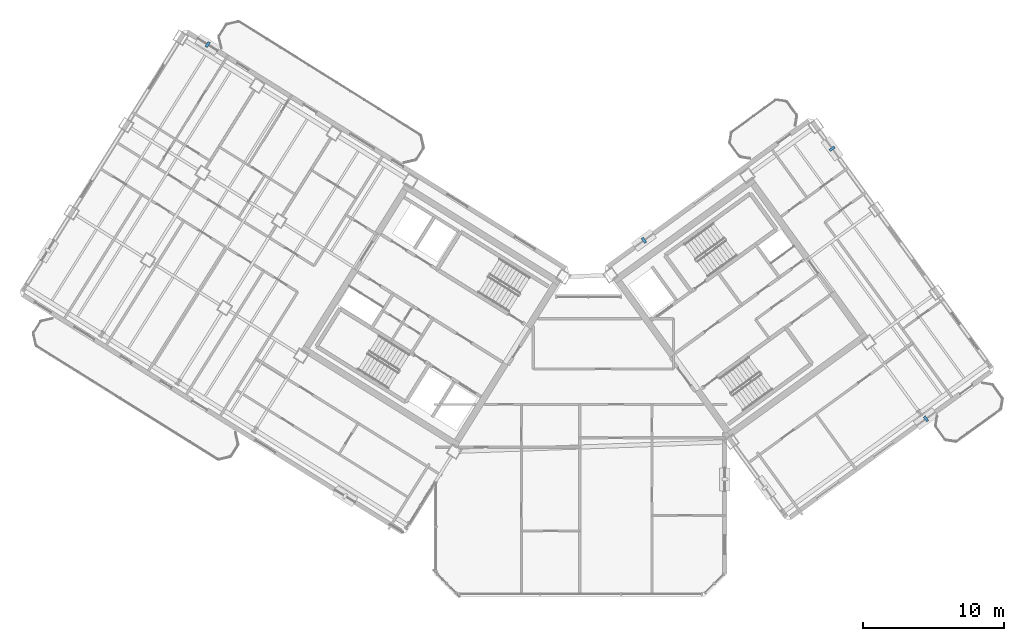
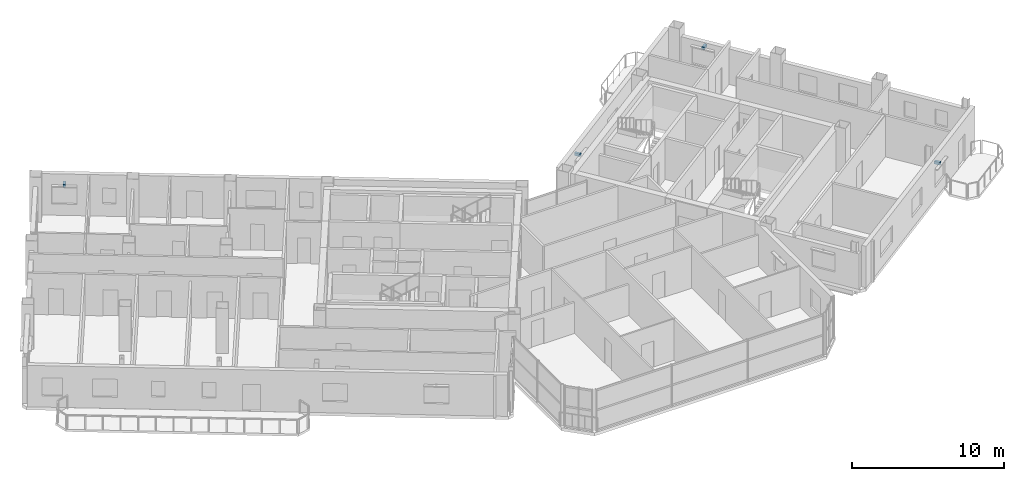
# One storey, part 22 of 27: 4 discrete accessories.
"""IFC4 building model written with IfcOpenShell, lengths in metres."""

from ifc_helpers import new_model, si_unit, direction, frame, origin, origin_2d, place, context, subcontext, project, spatial, rectangle, extrude, source, transform, mapped, material, type_object, element, save


model = new_model("IFC4")

# Units and contexts
model_context = context("Model", 3, precision=1e-05, world=origin(), true_north=direction((0.0, 1.0)))
body_context = subcontext(model_context, "Body", "Model", "MODEL_VIEW")
ifc_project = project(units=[si_unit("LENGTHUNIT", "METRE"), si_unit("AREAUNIT", "SQUARE_METRE"), si_unit("VOLUMEUNIT", "CUBIC_METRE"), si_unit("PLANEANGLEUNIT", "RADIAN"), si_unit("MASSUNIT", "GRAM", prefix="KILO")], contexts=[model_context])

# Site, building, storey
site_placement = place(None, origin())
site = spatial("IfcSite", under=ifc_project, at=site_placement, CompositionType="ELEMENT")
building_placement = place(site_placement, origin())
building = spatial("IfcBuilding", under=site, at=building_placement, Name="Tlacorven Tower", CompositionType="ELEMENT")
storey_placement = place(building_placement, frame((0.0, 0.0, 242.10009765625)))
storey = spatial("IfcBuildingStorey", under=building, at=storey_placement, Name="L61", CompositionType="ELEMENT", Elevation=242.10009765625)

# Discrete accessories
ifc_material = material(Name="Steel S355J2", Category="steel")
discrete_accessory_type = type_object("IfcDiscreteAccessoryType", Name="ACC-BRK-01", PredefinedType="BRACKET", material=ifc_material)
shared_shape = source(origin(), body_context, "Body", "SweptSolid", [
    extrude(rectangle(XDim=0.179931640625, YDim=0.419921875, at=origin_2d()), origin(), (0.0, 0.0, 1.0), 0.219970703125),
])
for number, where, z_axis, x_axis, name in (
    (1, (15.55126953125, 40.9423828125, 2.27978515625), (0.0, 0.0, 1.0), (0.84804812172, -0.529919223323, 0.0), "L61 Sunshade Bracket L61-03.1"),
    (2, (46.50146484375, 27.05419921875, 2.27978515625), (0.0, 0.0, 1.0), (0.809017097486, 0.587785110372, 0.0), "L61 Sunshade Bracket L61-04.1"),
    (3, (59.852783203125, 33.559326171875, 2.27978515625), (0.0, 0.0, 1.0), (0.587785363163, -0.809016913823, 0.0), "L61 Sunshade Bracket L61-05.1"),
    (4, (66.505615234375, 14.39453125, 2.27978515625), (0.0, 0.0, 1.0), (-0.809017097486, -0.587785110372, 0.0), "L61 Sunshade Bracket L61-06.1"),
):
    element("IfcDiscreteAccessory", number, at=place(storey_placement, frame(where, z_axis=z_axis, x_axis=x_axis)), inside=storey, type_object=discrete_accessory_type, Name=name, PredefinedType="BRACKET", context=body_context, shape_type="MappedRepresentation", body=[
        mapped(shared_shape, transform((0.0, 0.0, 0.0), scale=1.0)),
    ])

save(model, "model.ifc")
